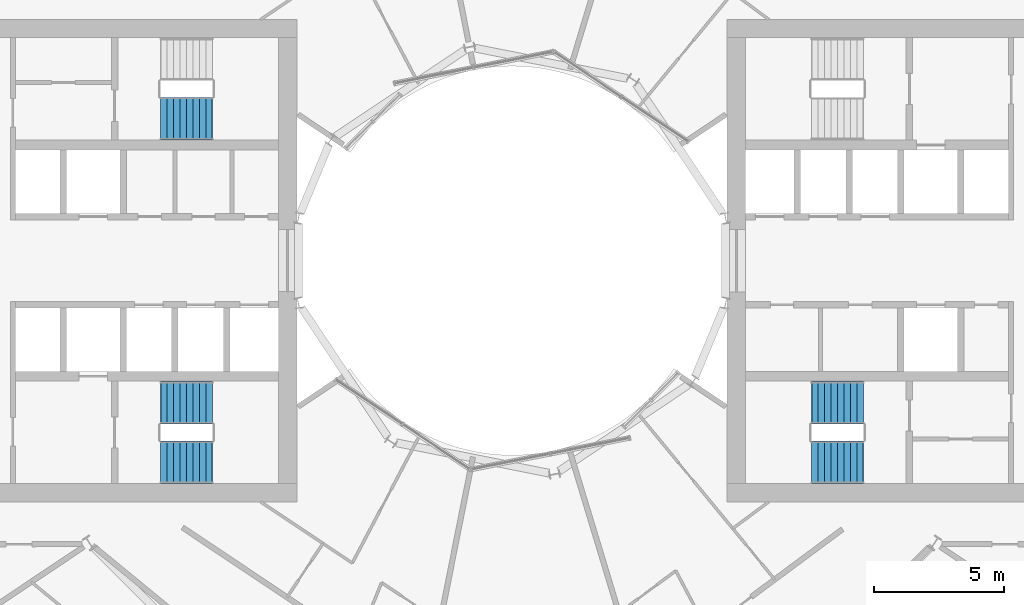
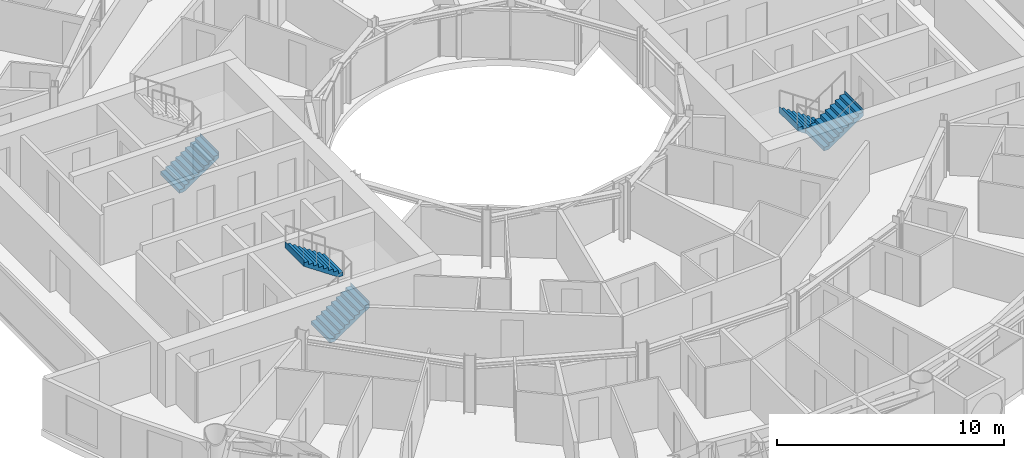
# One storey, part 23 of 26: 5 stair flights, 3 elements without a shape of their own.
"""IFC4 building model written with IfcOpenShell, lengths in metres."""

from ifc_helpers import new_model, si_unit, direction, frame, origin, place, context, subcontext, project, spatial, triangles, material, type_object, element, aggregate, save


model = new_model("IFC4")

# Units and contexts
model_context = context("Model", 3, precision=1e-05, world=origin(), true_north=direction((0.0, 1.0)))
body_context = subcontext(model_context, "Body", "Model", "MODEL_VIEW")
ifc_project = project(units=[si_unit("LENGTHUNIT", "METRE"), si_unit("AREAUNIT", "SQUARE_METRE"), si_unit("VOLUMEUNIT", "CUBIC_METRE"), si_unit("PLANEANGLEUNIT", "RADIAN"), si_unit("MASSUNIT", "GRAM", prefix="KILO")], contexts=[model_context])

# Site, building, storey
site_placement = place(None, origin())
site = spatial("IfcSite", under=ifc_project, at=site_placement, CompositionType="ELEMENT")
building_placement = place(site_placement, origin())
building = spatial("IfcBuilding", under=site, at=building_placement, Name="Maasbend Ring Residences", CompositionType="ELEMENT")
storey_placement = place(building_placement, frame((0.0, 0.0, 91.050048828125)))
storey = spatial("IfcBuildingStorey", under=building, at=storey_placement, Name="L26", CompositionType="ELEMENT", Elevation=91.050048828125)

# Stair, stair flights
ifc_material_1 = material(Name="Concrete C40/50", Category="concrete")
stair_type = type_object("IfcStairType", Name="CORE STAIR 18 RISERS", PredefinedType="HALF_TURN_STAIR", material=ifc_material_1)
stair_1_placement = place(storey_placement, origin())
stair_1 = element("IfcStair", 1, at=stair_1_placement, inside=storey, type_object=stair_type, Name="L26 Exit stair ST-E2", PredefinedType="HALF_TURN_STAIR")
ifc_material_2 = material(Name="Concrete C40/50", Category="concrete")
stair_flight_type = type_object("IfcStairFlightType", Name="CORE STAIR FLIGHT 1650", PredefinedType="STRAIGHT", material=ifc_material_2)
stair_flight_1_placement = place(storey_placement, frame((13.550048828125, -5.47509765625, 0.0), z_axis=(0.0, 0.0, 1.0), x_axis=(-1.0, 0.0, 0.0)))
stair_flight_1 = element("IfcStairFlight", 2, at=stair_flight_1_placement, type_object=stair_flight_type, Name="ST-E2 flight 1", NumberOfRisers=9, NumberOfTreads=8, PredefinedType="STRAIGHT", RiserHeight=0.169444444, TreadLength=0.25, context=body_context, shape_type="Tessellation", body=[
    triangles([(0.24072265625, 0.824951171875, -0.02001953125), (2.0029296875, 0.824951171875, 1.174560546875), (2.0029296875, 0.824951171875, 1.52490234375), (1.989990234375, 0.824951171875, 1.35546875), (1.75, 0.824951171875, 1.35546875), (1.75, 0.824951171875, 1.18603515625), (1.5, 0.824951171875, 1.18603515625), (1.5, 0.824951171875, 1.0166015625), (1.25, 0.824951171875, 1.0166015625), (1.25, 0.824951171875, 0.84716796875), (1.0, 0.824951171875, 0.84716796875), (1.0, 0.824951171875, 0.677734375), (0.75, 0.824951171875, 0.677734375), (0.75, 0.824951171875, 0.50830078125), (0.5, 0.824951171875, 0.50830078125), (0.5, 0.824951171875, 0.3388671875), (0.25, 0.824951171875, 0.3388671875), (0.25, 0.824951171875, 0.16943359375), (0.0, 0.824951171875, 0.16943359375), (0.0, 0.824951171875, 0.0), (-0.0029296875, 0.824951171875, 0.0), (-0.0029296875, 0.824951171875, -0.02001953125), (0.24072265625, 0.27490234375, -0.02001953125), (2.0029296875, 0.27490234375, 1.174560546875), (2.0029296875, 0.27490234375, 1.52490234375), (1.989990234375, 0.27490234375, 1.35546875), (1.75, 0.27490234375, 1.35546875), (1.75, 0.27490234375, 1.18603515625), (1.5, 0.27490234375, 1.18603515625), (1.5, 0.27490234375, 1.0166015625), (1.25, 0.27490234375, 1.0166015625), (1.25, 0.27490234375, 0.84716796875), (1.0, 0.27490234375, 0.84716796875), (1.0, 0.27490234375, 0.677734375), (0.75, 0.27490234375, 0.677734375), (0.75, 0.27490234375, 0.50830078125), (0.5, 0.27490234375, 0.50830078125), (0.5, 0.27490234375, 0.3388671875), (0.25, 0.27490234375, 0.3388671875), (0.25, 0.27490234375, 0.16943359375), (0.0, 0.27490234375, 0.16943359375), (0.0, 0.27490234375, 0.0), (-0.0029296875, 0.27490234375, 0.0), (-0.0029296875, 0.27490234375, -0.02001953125), (0.24072265625, -0.27490234375, -0.02001953125), (2.0029296875, -0.27490234375, 1.174560546875), (2.0029296875, -0.27490234375, 1.52490234375), (1.989990234375, -0.27490234375, 1.35546875), (1.75, -0.27490234375, 1.35546875), (1.75, -0.27490234375, 1.18603515625), (1.5, -0.27490234375, 1.18603515625), (1.5, -0.27490234375, 1.0166015625), (1.25, -0.27490234375, 1.0166015625), (1.25, -0.27490234375, 0.84716796875), (1.0, -0.27490234375, 0.84716796875), (1.0, -0.27490234375, 0.677734375), (0.75, -0.27490234375, 0.677734375), (0.75, -0.27490234375, 0.50830078125), (0.5, -0.27490234375, 0.50830078125), (0.5, -0.27490234375, 0.3388671875), (0.25, -0.27490234375, 0.3388671875), (0.25, -0.27490234375, 0.16943359375), (0.0, -0.27490234375, 0.16943359375), (0.0, -0.27490234375, 0.0), (-0.0029296875, -0.27490234375, 0.0), (-0.0029296875, -0.27490234375, -0.02001953125), (0.24072265625, -0.824951171875, -0.02001953125), (2.0029296875, -0.824951171875, 1.174560546875), (2.0029296875, -0.824951171875, 1.52490234375), (1.989990234375, -0.824951171875, 1.35546875), (1.75, -0.824951171875, 1.35546875), (1.75, -0.824951171875, 1.18603515625), (1.5, -0.824951171875, 1.18603515625), (1.5, -0.824951171875, 1.0166015625), (1.25, -0.824951171875, 1.0166015625), (1.25, -0.824951171875, 0.84716796875), (1.0, -0.824951171875, 0.84716796875), (1.0, -0.824951171875, 0.677734375), (0.75, -0.824951171875, 0.677734375), (0.75, -0.824951171875, 0.50830078125), (0.5, -0.824951171875, 0.50830078125), (0.5, -0.824951171875, 0.3388671875), (0.25, -0.824951171875, 0.3388671875), (0.25, -0.824951171875, 0.16943359375), (0.0, -0.824951171875, 0.16943359375), (0.0, -0.824951171875, 0.0), (-0.0029296875, -0.824951171875, 0.0), (-0.0029296875, -0.824951171875, -0.02001953125)], [[1, 2, 24], [1, 24, 23], [23, 24, 46], [23, 46, 45], [45, 46, 68], [45, 68, 67], [2, 3, 25], [2, 25, 24], [24, 25, 47], [24, 47, 46], [46, 47, 69], [46, 69, 68], [3, 4, 26], [3, 26, 25], [25, 26, 48], [25, 48, 47], [47, 48, 70], [47, 70, 69], [4, 5, 27], [4, 27, 26], [26, 27, 49], [26, 49, 48], [48, 49, 71], [48, 71, 70], [5, 6, 28], [5, 28, 27], [27, 28, 50], [27, 50, 49], [49, 50, 72], [49, 72, 71], [6, 7, 29], [6, 29, 28], [28, 29, 51], [28, 51, 50], [50, 51, 73], [50, 73, 72], [7, 8, 30], [7, 30, 29], [29, 30, 52], [29, 52, 51], [51, 52, 74], [51, 74, 73], [8, 9, 31], [8, 31, 30], [30, 31, 53], [30, 53, 52], [52, 53, 75], [52, 75, 74], [9, 10, 32], [9, 32, 31], [31, 32, 54], [31, 54, 53], [53, 54, 76], [53, 76, 75], [10, 11, 33], [10, 33, 32], [32, 33, 55], [32, 55, 54], [54, 55, 77], [54, 77, 76], [11, 12, 34], [11, 34, 33], [33, 34, 56], [33, 56, 55], [55, 56, 78], [55, 78, 77], [12, 13, 35], [12, 35, 34], [34, 35, 57], [34, 57, 56], [56, 57, 79], [56, 79, 78], [13, 14, 36], [13, 36, 35], [35, 36, 58], [35, 58, 57], [57, 58, 80], [57, 80, 79], [14, 15, 37], [14, 37, 36], [36, 37, 59], [36, 59, 58], [58, 59, 81], [58, 81, 80], [15, 16, 38], [15, 38, 37], [37, 38, 60], [37, 60, 59], [59, 60, 82], [59, 82, 81], [16, 17, 39], [16, 39, 38], [38, 39, 61], [38, 61, 60], [60, 61, 83], [60, 83, 82], [17, 18, 40], [17, 40, 39], [39, 40, 62], [39, 62, 61], [61, 62, 84], [61, 84, 83], [18, 19, 41], [18, 41, 40], [40, 41, 63], [40, 63, 62], [62, 63, 85], [62, 85, 84], [19, 20, 42], [19, 42, 41], [41, 42, 64], [41, 64, 63], [63, 64, 86], [63, 86, 85], [20, 21, 43], [20, 43, 42], [42, 43, 65], [42, 65, 64], [64, 65, 87], [64, 87, 86], [21, 22, 44], [21, 44, 43], [43, 44, 66], [43, 66, 65], [65, 66, 88], [65, 88, 87], [22, 1, 23], [22, 23, 44], [44, 23, 45], [44, 45, 66], [66, 45, 67], [66, 67, 88], [22, 2, 1], [2, 4, 3], [2, 5, 4], [2, 6, 5], [22, 6, 2], [6, 8, 7], [22, 8, 6], [8, 10, 9], [22, 10, 8], [10, 12, 11], [22, 12, 10], [12, 14, 13], [22, 14, 12], [14, 16, 15], [22, 16, 14], [16, 18, 17], [22, 18, 16], [18, 20, 19], [22, 20, 18], [20, 22, 21], [88, 67, 68], [68, 69, 70], [68, 70, 71], [68, 71, 72], [88, 68, 72], [72, 73, 74], [88, 72, 74], [74, 75, 76], [88, 74, 76], [76, 77, 78], [88, 76, 78], [78, 79, 80], [88, 78, 80], [80, 81, 82], [88, 80, 82], [82, 83, 84], [88, 82, 84], [84, 85, 86], [88, 84, 86], [86, 87, 88]], closed=True),
])
stair_flight_2_placement = place(storey_placement, frame((11.550048828125, -7.77490234375, 1.52490234375), z_axis=(0.0, 0.0, 1.0), x_axis=(1.0, 0.0, 0.0)))
stair_flight_2 = element("IfcStairFlight", 3, at=stair_flight_2_placement, type_object=stair_flight_type, Name="ST-E2 flight 2", NumberOfRisers=9, NumberOfTreads=8, PredefinedType="STRAIGHT", RiserHeight=0.169444444, TreadLength=0.25, context=body_context, shape_type="Tessellation", body=[
    triangles([(0.24072265625, 0.824951171875, -0.02001953125), (2.0029296875, 0.824951171875, 1.174560546875), (2.0029296875, 0.824951171875, 1.52490234375), (1.989990234375, 0.824951171875, 1.35546875), (1.75, 0.824951171875, 1.35546875), (1.75, 0.824951171875, 1.18603515625), (1.5, 0.824951171875, 1.18603515625), (1.5, 0.824951171875, 1.0166015625), (1.25, 0.824951171875, 1.0166015625), (1.25, 0.824951171875, 0.84716796875), (1.0, 0.824951171875, 0.84716796875), (1.0, 0.824951171875, 0.677734375), (0.75, 0.824951171875, 0.677734375), (0.75, 0.824951171875, 0.50830078125), (0.5, 0.824951171875, 0.50830078125), (0.5, 0.824951171875, 0.3388671875), (0.25, 0.824951171875, 0.3388671875), (0.25, 0.824951171875, 0.16943359375), (0.0, 0.824951171875, 0.16943359375), (0.0, 0.824951171875, 0.0), (-0.0029296875, 0.824951171875, 0.0), (-0.0029296875, 0.824951171875, -0.02001953125), (0.24072265625, 0.27490234375, -0.02001953125), (2.0029296875, 0.27490234375, 1.174560546875), (2.0029296875, 0.27490234375, 1.52490234375), (1.989990234375, 0.27490234375, 1.35546875), (1.75, 0.27490234375, 1.35546875), (1.75, 0.27490234375, 1.18603515625), (1.5, 0.27490234375, 1.18603515625), (1.5, 0.27490234375, 1.0166015625), (1.25, 0.27490234375, 1.0166015625), (1.25, 0.27490234375, 0.84716796875), (1.0, 0.27490234375, 0.84716796875), (1.0, 0.27490234375, 0.677734375), (0.75, 0.27490234375, 0.677734375), (0.75, 0.27490234375, 0.50830078125), (0.5, 0.27490234375, 0.50830078125), (0.5, 0.27490234375, 0.3388671875), (0.25, 0.27490234375, 0.3388671875), (0.25, 0.27490234375, 0.16943359375), (0.0, 0.27490234375, 0.16943359375), (0.0, 0.27490234375, 0.0), (-0.0029296875, 0.27490234375, 0.0), (-0.0029296875, 0.27490234375, -0.02001953125), (0.24072265625, -0.27490234375, -0.02001953125), (2.0029296875, -0.27490234375, 1.174560546875), (2.0029296875, -0.27490234375, 1.52490234375), (1.989990234375, -0.27490234375, 1.35546875), (1.75, -0.27490234375, 1.35546875), (1.75, -0.27490234375, 1.18603515625), (1.5, -0.27490234375, 1.18603515625), (1.5, -0.27490234375, 1.0166015625), (1.25, -0.27490234375, 1.0166015625), (1.25, -0.27490234375, 0.84716796875), (1.0, -0.27490234375, 0.84716796875), (1.0, -0.27490234375, 0.677734375), (0.75, -0.27490234375, 0.677734375), (0.75, -0.27490234375, 0.50830078125), (0.5, -0.27490234375, 0.50830078125), (0.5, -0.27490234375, 0.3388671875), (0.25, -0.27490234375, 0.3388671875), (0.25, -0.27490234375, 0.16943359375), (0.0, -0.27490234375, 0.16943359375), (0.0, -0.27490234375, 0.0), (-0.0029296875, -0.27490234375, 0.0), (-0.0029296875, -0.27490234375, -0.02001953125), (0.24072265625, -0.824951171875, -0.02001953125), (2.0029296875, -0.824951171875, 1.174560546875), (2.0029296875, -0.824951171875, 1.52490234375), (1.989990234375, -0.824951171875, 1.35546875), (1.75, -0.824951171875, 1.35546875), (1.75, -0.824951171875, 1.18603515625), (1.5, -0.824951171875, 1.18603515625), (1.5, -0.824951171875, 1.0166015625), (1.25, -0.824951171875, 1.0166015625), (1.25, -0.824951171875, 0.84716796875), (1.0, -0.824951171875, 0.84716796875), (1.0, -0.824951171875, 0.677734375), (0.75, -0.824951171875, 0.677734375), (0.75, -0.824951171875, 0.50830078125), (0.5, -0.824951171875, 0.50830078125), (0.5, -0.824951171875, 0.3388671875), (0.25, -0.824951171875, 0.3388671875), (0.25, -0.824951171875, 0.16943359375), (0.0, -0.824951171875, 0.16943359375), (0.0, -0.824951171875, 0.0), (-0.0029296875, -0.824951171875, 0.0), (-0.0029296875, -0.824951171875, -0.02001953125)], [[1, 2, 24], [1, 24, 23], [23, 24, 46], [23, 46, 45], [45, 46, 68], [45, 68, 67], [2, 3, 25], [2, 25, 24], [24, 25, 47], [24, 47, 46], [46, 47, 69], [46, 69, 68], [3, 4, 26], [3, 26, 25], [25, 26, 48], [25, 48, 47], [47, 48, 70], [47, 70, 69], [4, 5, 27], [4, 27, 26], [26, 27, 49], [26, 49, 48], [48, 49, 71], [48, 71, 70], [5, 6, 28], [5, 28, 27], [27, 28, 50], [27, 50, 49], [49, 50, 72], [49, 72, 71], [6, 7, 29], [6, 29, 28], [28, 29, 51], [28, 51, 50], [50, 51, 73], [50, 73, 72], [7, 8, 30], [7, 30, 29], [29, 30, 52], [29, 52, 51], [51, 52, 74], [51, 74, 73], [8, 9, 31], [8, 31, 30], [30, 31, 53], [30, 53, 52], [52, 53, 75], [52, 75, 74], [9, 10, 32], [9, 32, 31], [31, 32, 54], [31, 54, 53], [53, 54, 76], [53, 76, 75], [10, 11, 33], [10, 33, 32], [32, 33, 55], [32, 55, 54], [54, 55, 77], [54, 77, 76], [11, 12, 34], [11, 34, 33], [33, 34, 56], [33, 56, 55], [55, 56, 78], [55, 78, 77], [12, 13, 35], [12, 35, 34], [34, 35, 57], [34, 57, 56], [56, 57, 79], [56, 79, 78], [13, 14, 36], [13, 36, 35], [35, 36, 58], [35, 58, 57], [57, 58, 80], [57, 80, 79], [14, 15, 37], [14, 37, 36], [36, 37, 59], [36, 59, 58], [58, 59, 81], [58, 81, 80], [15, 16, 38], [15, 38, 37], [37, 38, 60], [37, 60, 59], [59, 60, 82], [59, 82, 81], [16, 17, 39], [16, 39, 38], [38, 39, 61], [38, 61, 60], [60, 61, 83], [60, 83, 82], [17, 18, 40], [17, 40, 39], [39, 40, 62], [39, 62, 61], [61, 62, 84], [61, 84, 83], [18, 19, 41], [18, 41, 40], [40, 41, 63], [40, 63, 62], [62, 63, 85], [62, 85, 84], [19, 20, 42], [19, 42, 41], [41, 42, 64], [41, 64, 63], [63, 64, 86], [63, 86, 85], [20, 21, 43], [20, 43, 42], [42, 43, 65], [42, 65, 64], [64, 65, 87], [64, 87, 86], [21, 22, 44], [21, 44, 43], [43, 44, 66], [43, 66, 65], [65, 66, 88], [65, 88, 87], [22, 1, 23], [22, 23, 44], [44, 23, 45], [44, 45, 66], [66, 45, 67], [66, 67, 88], [22, 2, 1], [2, 4, 3], [2, 5, 4], [2, 6, 5], [22, 6, 2], [6, 8, 7], [22, 8, 6], [8, 10, 9], [22, 10, 8], [10, 12, 11], [22, 12, 10], [12, 14, 13], [22, 14, 12], [14, 16, 15], [22, 16, 14], [16, 18, 17], [22, 18, 16], [18, 20, 19], [22, 20, 18], [20, 22, 21], [88, 67, 68], [68, 69, 70], [68, 70, 71], [68, 71, 72], [88, 68, 72], [72, 73, 74], [88, 72, 74], [74, 75, 76], [88, 74, 76], [76, 77, 78], [88, 76, 78], [78, 79, 80], [88, 78, 80], [80, 81, 82], [88, 80, 82], [82, 83, 84], [88, 82, 84], [84, 85, 86], [88, 84, 86], [86, 87, 88]], closed=True),
])
aggregate(stair_1, [stair_flight_1, stair_flight_2])

stair_2_placement = place(storey_placement, origin())
stair_2 = element("IfcStair", 4, at=stair_2_placement, inside=storey, type_object=stair_type, Name="L26 Exit stair ST-W1", PredefinedType="HALF_TURN_STAIR")
stair_flight_3_placement = place(storey_placement, frame((-13.550048828125, -7.77490234375, 0.0), z_axis=(0.0, 0.0, 1.0), x_axis=(1.0, 0.0, 0.0)))
stair_flight_3 = element("IfcStairFlight", 5, at=stair_flight_3_placement, type_object=stair_flight_type, Name="ST-W1 flight 1", NumberOfRisers=9, NumberOfTreads=8, PredefinedType="STRAIGHT", RiserHeight=0.169444444, TreadLength=0.25, context=body_context, shape_type="Tessellation", body=[
    triangles([(0.24072265625, 0.824951171875, -0.02001953125), (2.0029296875, 0.824951171875, 1.174560546875), (2.0029296875, 0.824951171875, 1.52490234375), (1.989990234375, 0.824951171875, 1.35546875), (1.75, 0.824951171875, 1.35546875), (1.75, 0.824951171875, 1.18603515625), (1.5, 0.824951171875, 1.18603515625), (1.5, 0.824951171875, 1.0166015625), (1.25, 0.824951171875, 1.0166015625), (1.25, 0.824951171875, 0.84716796875), (1.0, 0.824951171875, 0.84716796875), (1.0, 0.824951171875, 0.677734375), (0.75, 0.824951171875, 0.677734375), (0.75, 0.824951171875, 0.50830078125), (0.5, 0.824951171875, 0.50830078125), (0.5, 0.824951171875, 0.3388671875), (0.25, 0.824951171875, 0.3388671875), (0.25, 0.824951171875, 0.16943359375), (0.0, 0.824951171875, 0.16943359375), (0.0, 0.824951171875, 0.0), (-0.0029296875, 0.824951171875, 0.0), (-0.0029296875, 0.824951171875, -0.02001953125), (0.24072265625, 0.27490234375, -0.02001953125), (2.0029296875, 0.27490234375, 1.174560546875), (2.0029296875, 0.27490234375, 1.52490234375), (1.989990234375, 0.27490234375, 1.35546875), (1.75, 0.27490234375, 1.35546875), (1.75, 0.27490234375, 1.18603515625), (1.5, 0.27490234375, 1.18603515625), (1.5, 0.27490234375, 1.0166015625), (1.25, 0.27490234375, 1.0166015625), (1.25, 0.27490234375, 0.84716796875), (1.0, 0.27490234375, 0.84716796875), (1.0, 0.27490234375, 0.677734375), (0.75, 0.27490234375, 0.677734375), (0.75, 0.27490234375, 0.50830078125), (0.5, 0.27490234375, 0.50830078125), (0.5, 0.27490234375, 0.3388671875), (0.25, 0.27490234375, 0.3388671875), (0.25, 0.27490234375, 0.16943359375), (0.0, 0.27490234375, 0.16943359375), (0.0, 0.27490234375, 0.0), (-0.0029296875, 0.27490234375, 0.0), (-0.0029296875, 0.27490234375, -0.02001953125), (0.24072265625, -0.27490234375, -0.02001953125), (2.0029296875, -0.27490234375, 1.174560546875), (2.0029296875, -0.27490234375, 1.52490234375), (1.989990234375, -0.27490234375, 1.35546875), (1.75, -0.27490234375, 1.35546875), (1.75, -0.27490234375, 1.18603515625), (1.5, -0.27490234375, 1.18603515625), (1.5, -0.27490234375, 1.0166015625), (1.25, -0.27490234375, 1.0166015625), (1.25, -0.27490234375, 0.84716796875), (1.0, -0.27490234375, 0.84716796875), (1.0, -0.27490234375, 0.677734375), (0.75, -0.27490234375, 0.677734375), (0.75, -0.27490234375, 0.50830078125), (0.5, -0.27490234375, 0.50830078125), (0.5, -0.27490234375, 0.3388671875), (0.25, -0.27490234375, 0.3388671875), (0.25, -0.27490234375, 0.16943359375), (0.0, -0.27490234375, 0.16943359375), (0.0, -0.27490234375, 0.0), (-0.0029296875, -0.27490234375, 0.0), (-0.0029296875, -0.27490234375, -0.02001953125), (0.24072265625, -0.824951171875, -0.02001953125), (2.0029296875, -0.824951171875, 1.174560546875), (2.0029296875, -0.824951171875, 1.52490234375), (1.989990234375, -0.824951171875, 1.35546875), (1.75, -0.824951171875, 1.35546875), (1.75, -0.824951171875, 1.18603515625), (1.5, -0.824951171875, 1.18603515625), (1.5, -0.824951171875, 1.0166015625), (1.25, -0.824951171875, 1.0166015625), (1.25, -0.824951171875, 0.84716796875), (1.0, -0.824951171875, 0.84716796875), (1.0, -0.824951171875, 0.677734375), (0.75, -0.824951171875, 0.677734375), (0.75, -0.824951171875, 0.50830078125), (0.5, -0.824951171875, 0.50830078125), (0.5, -0.824951171875, 0.3388671875), (0.25, -0.824951171875, 0.3388671875), (0.25, -0.824951171875, 0.16943359375), (0.0, -0.824951171875, 0.16943359375), (0.0, -0.824951171875, 0.0), (-0.0029296875, -0.824951171875, 0.0), (-0.0029296875, -0.824951171875, -0.02001953125)], [[1, 2, 24], [1, 24, 23], [23, 24, 46], [23, 46, 45], [45, 46, 68], [45, 68, 67], [2, 3, 25], [2, 25, 24], [24, 25, 47], [24, 47, 46], [46, 47, 69], [46, 69, 68], [3, 4, 26], [3, 26, 25], [25, 26, 48], [25, 48, 47], [47, 48, 70], [47, 70, 69], [4, 5, 27], [4, 27, 26], [26, 27, 49], [26, 49, 48], [48, 49, 71], [48, 71, 70], [5, 6, 28], [5, 28, 27], [27, 28, 50], [27, 50, 49], [49, 50, 72], [49, 72, 71], [6, 7, 29], [6, 29, 28], [28, 29, 51], [28, 51, 50], [50, 51, 73], [50, 73, 72], [7, 8, 30], [7, 30, 29], [29, 30, 52], [29, 52, 51], [51, 52, 74], [51, 74, 73], [8, 9, 31], [8, 31, 30], [30, 31, 53], [30, 53, 52], [52, 53, 75], [52, 75, 74], [9, 10, 32], [9, 32, 31], [31, 32, 54], [31, 54, 53], [53, 54, 76], [53, 76, 75], [10, 11, 33], [10, 33, 32], [32, 33, 55], [32, 55, 54], [54, 55, 77], [54, 77, 76], [11, 12, 34], [11, 34, 33], [33, 34, 56], [33, 56, 55], [55, 56, 78], [55, 78, 77], [12, 13, 35], [12, 35, 34], [34, 35, 57], [34, 57, 56], [56, 57, 79], [56, 79, 78], [13, 14, 36], [13, 36, 35], [35, 36, 58], [35, 58, 57], [57, 58, 80], [57, 80, 79], [14, 15, 37], [14, 37, 36], [36, 37, 59], [36, 59, 58], [58, 59, 81], [58, 81, 80], [15, 16, 38], [15, 38, 37], [37, 38, 60], [37, 60, 59], [59, 60, 82], [59, 82, 81], [16, 17, 39], [16, 39, 38], [38, 39, 61], [38, 61, 60], [60, 61, 83], [60, 83, 82], [17, 18, 40], [17, 40, 39], [39, 40, 62], [39, 62, 61], [61, 62, 84], [61, 84, 83], [18, 19, 41], [18, 41, 40], [40, 41, 63], [40, 63, 62], [62, 63, 85], [62, 85, 84], [19, 20, 42], [19, 42, 41], [41, 42, 64], [41, 64, 63], [63, 64, 86], [63, 86, 85], [20, 21, 43], [20, 43, 42], [42, 43, 65], [42, 65, 64], [64, 65, 87], [64, 87, 86], [21, 22, 44], [21, 44, 43], [43, 44, 66], [43, 66, 65], [65, 66, 88], [65, 88, 87], [22, 1, 23], [22, 23, 44], [44, 23, 45], [44, 45, 66], [66, 45, 67], [66, 67, 88], [22, 2, 1], [2, 4, 3], [2, 5, 4], [2, 6, 5], [22, 6, 2], [6, 8, 7], [22, 8, 6], [8, 10, 9], [22, 10, 8], [10, 12, 11], [22, 12, 10], [12, 14, 13], [22, 14, 12], [14, 16, 15], [22, 16, 14], [16, 18, 17], [22, 18, 16], [18, 20, 19], [22, 20, 18], [20, 22, 21], [88, 67, 68], [68, 69, 70], [68, 70, 71], [68, 71, 72], [88, 68, 72], [72, 73, 74], [88, 72, 74], [74, 75, 76], [88, 74, 76], [76, 77, 78], [88, 76, 78], [78, 79, 80], [88, 78, 80], [80, 81, 82], [88, 80, 82], [82, 83, 84], [88, 82, 84], [84, 85, 86], [88, 84, 86], [86, 87, 88]], closed=True),
])
stair_flight_4_placement = place(storey_placement, frame((-11.550048828125, -5.47509765625, 1.52490234375), z_axis=(0.0, 0.0, 1.0), x_axis=(-1.0, 0.0, 0.0)))
stair_flight_4 = element("IfcStairFlight", 6, at=stair_flight_4_placement, type_object=stair_flight_type, Name="ST-W1 flight 2", NumberOfRisers=9, NumberOfTreads=8, PredefinedType="STRAIGHT", RiserHeight=0.169444444, TreadLength=0.25, context=body_context, shape_type="Tessellation", body=[
    triangles([(0.24072265625, 0.824951171875, -0.02001953125), (2.0029296875, 0.824951171875, 1.174560546875), (2.0029296875, 0.824951171875, 1.52490234375), (1.989990234375, 0.824951171875, 1.35546875), (1.75, 0.824951171875, 1.35546875), (1.75, 0.824951171875, 1.18603515625), (1.5, 0.824951171875, 1.18603515625), (1.5, 0.824951171875, 1.0166015625), (1.25, 0.824951171875, 1.0166015625), (1.25, 0.824951171875, 0.84716796875), (1.0, 0.824951171875, 0.84716796875), (1.0, 0.824951171875, 0.677734375), (0.75, 0.824951171875, 0.677734375), (0.75, 0.824951171875, 0.50830078125), (0.5, 0.824951171875, 0.50830078125), (0.5, 0.824951171875, 0.3388671875), (0.25, 0.824951171875, 0.3388671875), (0.25, 0.824951171875, 0.16943359375), (0.0, 0.824951171875, 0.16943359375), (0.0, 0.824951171875, 0.0), (-0.0029296875, 0.824951171875, 0.0), (-0.0029296875, 0.824951171875, -0.02001953125), (0.24072265625, 0.27490234375, -0.02001953125), (2.0029296875, 0.27490234375, 1.174560546875), (2.0029296875, 0.27490234375, 1.52490234375), (1.989990234375, 0.27490234375, 1.35546875), (1.75, 0.27490234375, 1.35546875), (1.75, 0.27490234375, 1.18603515625), (1.5, 0.27490234375, 1.18603515625), (1.5, 0.27490234375, 1.0166015625), (1.25, 0.27490234375, 1.0166015625), (1.25, 0.27490234375, 0.84716796875), (1.0, 0.27490234375, 0.84716796875), (1.0, 0.27490234375, 0.677734375), (0.75, 0.27490234375, 0.677734375), (0.75, 0.27490234375, 0.50830078125), (0.5, 0.27490234375, 0.50830078125), (0.5, 0.27490234375, 0.3388671875), (0.25, 0.27490234375, 0.3388671875), (0.25, 0.27490234375, 0.16943359375), (0.0, 0.27490234375, 0.16943359375), (0.0, 0.27490234375, 0.0), (-0.0029296875, 0.27490234375, 0.0), (-0.0029296875, 0.27490234375, -0.02001953125), (0.24072265625, -0.27490234375, -0.02001953125), (2.0029296875, -0.27490234375, 1.174560546875), (2.0029296875, -0.27490234375, 1.52490234375), (1.989990234375, -0.27490234375, 1.35546875), (1.75, -0.27490234375, 1.35546875), (1.75, -0.27490234375, 1.18603515625), (1.5, -0.27490234375, 1.18603515625), (1.5, -0.27490234375, 1.0166015625), (1.25, -0.27490234375, 1.0166015625), (1.25, -0.27490234375, 0.84716796875), (1.0, -0.27490234375, 0.84716796875), (1.0, -0.27490234375, 0.677734375), (0.75, -0.27490234375, 0.677734375), (0.75, -0.27490234375, 0.50830078125), (0.5, -0.27490234375, 0.50830078125), (0.5, -0.27490234375, 0.3388671875), (0.25, -0.27490234375, 0.3388671875), (0.25, -0.27490234375, 0.16943359375), (0.0, -0.27490234375, 0.16943359375), (0.0, -0.27490234375, 0.0), (-0.0029296875, -0.27490234375, 0.0), (-0.0029296875, -0.27490234375, -0.02001953125), (0.24072265625, -0.824951171875, -0.02001953125), (2.0029296875, -0.824951171875, 1.174560546875), (2.0029296875, -0.824951171875, 1.52490234375), (1.989990234375, -0.824951171875, 1.35546875), (1.75, -0.824951171875, 1.35546875), (1.75, -0.824951171875, 1.18603515625), (1.5, -0.824951171875, 1.18603515625), (1.5, -0.824951171875, 1.0166015625), (1.25, -0.824951171875, 1.0166015625), (1.25, -0.824951171875, 0.84716796875), (1.0, -0.824951171875, 0.84716796875), (1.0, -0.824951171875, 0.677734375), (0.75, -0.824951171875, 0.677734375), (0.75, -0.824951171875, 0.50830078125), (0.5, -0.824951171875, 0.50830078125), (0.5, -0.824951171875, 0.3388671875), (0.25, -0.824951171875, 0.3388671875), (0.25, -0.824951171875, 0.16943359375), (0.0, -0.824951171875, 0.16943359375), (0.0, -0.824951171875, 0.0), (-0.0029296875, -0.824951171875, 0.0), (-0.0029296875, -0.824951171875, -0.02001953125)], [[1, 2, 24], [1, 24, 23], [23, 24, 46], [23, 46, 45], [45, 46, 68], [45, 68, 67], [2, 3, 25], [2, 25, 24], [24, 25, 47], [24, 47, 46], [46, 47, 69], [46, 69, 68], [3, 4, 26], [3, 26, 25], [25, 26, 48], [25, 48, 47], [47, 48, 70], [47, 70, 69], [4, 5, 27], [4, 27, 26], [26, 27, 49], [26, 49, 48], [48, 49, 71], [48, 71, 70], [5, 6, 28], [5, 28, 27], [27, 28, 50], [27, 50, 49], [49, 50, 72], [49, 72, 71], [6, 7, 29], [6, 29, 28], [28, 29, 51], [28, 51, 50], [50, 51, 73], [50, 73, 72], [7, 8, 30], [7, 30, 29], [29, 30, 52], [29, 52, 51], [51, 52, 74], [51, 74, 73], [8, 9, 31], [8, 31, 30], [30, 31, 53], [30, 53, 52], [52, 53, 75], [52, 75, 74], [9, 10, 32], [9, 32, 31], [31, 32, 54], [31, 54, 53], [53, 54, 76], [53, 76, 75], [10, 11, 33], [10, 33, 32], [32, 33, 55], [32, 55, 54], [54, 55, 77], [54, 77, 76], [11, 12, 34], [11, 34, 33], [33, 34, 56], [33, 56, 55], [55, 56, 78], [55, 78, 77], [12, 13, 35], [12, 35, 34], [34, 35, 57], [34, 57, 56], [56, 57, 79], [56, 79, 78], [13, 14, 36], [13, 36, 35], [35, 36, 58], [35, 58, 57], [57, 58, 80], [57, 80, 79], [14, 15, 37], [14, 37, 36], [36, 37, 59], [36, 59, 58], [58, 59, 81], [58, 81, 80], [15, 16, 38], [15, 38, 37], [37, 38, 60], [37, 60, 59], [59, 60, 82], [59, 82, 81], [16, 17, 39], [16, 39, 38], [38, 39, 61], [38, 61, 60], [60, 61, 83], [60, 83, 82], [17, 18, 40], [17, 40, 39], [39, 40, 62], [39, 62, 61], [61, 62, 84], [61, 84, 83], [18, 19, 41], [18, 41, 40], [40, 41, 63], [40, 63, 62], [62, 63, 85], [62, 85, 84], [19, 20, 42], [19, 42, 41], [41, 42, 64], [41, 64, 63], [63, 64, 86], [63, 86, 85], [20, 21, 43], [20, 43, 42], [42, 43, 65], [42, 65, 64], [64, 65, 87], [64, 87, 86], [21, 22, 44], [21, 44, 43], [43, 44, 66], [43, 66, 65], [65, 66, 88], [65, 88, 87], [22, 1, 23], [22, 23, 44], [44, 23, 45], [44, 45, 66], [66, 45, 67], [66, 67, 88], [22, 2, 1], [2, 4, 3], [2, 5, 4], [2, 6, 5], [22, 6, 2], [6, 8, 7], [22, 8, 6], [8, 10, 9], [22, 10, 8], [10, 12, 11], [22, 12, 10], [12, 14, 13], [22, 14, 12], [14, 16, 15], [22, 16, 14], [16, 18, 17], [22, 18, 16], [18, 20, 19], [22, 20, 18], [20, 22, 21], [88, 67, 68], [68, 69, 70], [68, 70, 71], [68, 71, 72], [88, 68, 72], [72, 73, 74], [88, 72, 74], [74, 75, 76], [88, 74, 76], [76, 77, 78], [88, 76, 78], [78, 79, 80], [88, 78, 80], [80, 81, 82], [88, 80, 82], [82, 83, 84], [88, 82, 84], [84, 85, 86], [88, 84, 86], [86, 87, 88]], closed=True),
])
aggregate(stair_2, [stair_flight_3, stair_flight_4])

# Stair, stair flight
stair_3_placement = place(storey_placement, origin())
stair_3 = element("IfcStair", 7, at=stair_3_placement, inside=storey, type_object=stair_type, Name="L26 Exit stair ST-W2", PredefinedType="HALF_TURN_STAIR")
stair_flight_5_placement = place(storey_placement, frame((-13.550048828125, 5.47509765625, 0.0), z_axis=(0.0, 0.0, 1.0), x_axis=(1.0, 0.0, 0.0)))
stair_flight_5 = element("IfcStairFlight", 8, at=stair_flight_5_placement, type_object=stair_flight_type, Name="ST-W2 flight 1", NumberOfRisers=9, NumberOfTreads=8, PredefinedType="STRAIGHT", RiserHeight=0.169444444, TreadLength=0.25, context=body_context, shape_type="Tessellation", body=[
    triangles([(0.24072265625, 0.824951171875, -0.02001953125), (2.0029296875, 0.824951171875, 1.174560546875), (2.0029296875, 0.824951171875, 1.52490234375), (1.989990234375, 0.824951171875, 1.35546875), (1.75, 0.824951171875, 1.35546875), (1.75, 0.824951171875, 1.18603515625), (1.5, 0.824951171875, 1.18603515625), (1.5, 0.824951171875, 1.0166015625), (1.25, 0.824951171875, 1.0166015625), (1.25, 0.824951171875, 0.84716796875), (1.0, 0.824951171875, 0.84716796875), (1.0, 0.824951171875, 0.677734375), (0.75, 0.824951171875, 0.677734375), (0.75, 0.824951171875, 0.50830078125), (0.5, 0.824951171875, 0.50830078125), (0.5, 0.824951171875, 0.3388671875), (0.25, 0.824951171875, 0.3388671875), (0.25, 0.824951171875, 0.16943359375), (0.0, 0.824951171875, 0.16943359375), (0.0, 0.824951171875, 0.0), (-0.0029296875, 0.824951171875, 0.0), (-0.0029296875, 0.824951171875, -0.02001953125), (0.24072265625, 0.27490234375, -0.02001953125), (2.0029296875, 0.27490234375, 1.174560546875), (2.0029296875, 0.27490234375, 1.52490234375), (1.989990234375, 0.27490234375, 1.35546875), (1.75, 0.27490234375, 1.35546875), (1.75, 0.27490234375, 1.18603515625), (1.5, 0.27490234375, 1.18603515625), (1.5, 0.27490234375, 1.0166015625), (1.25, 0.27490234375, 1.0166015625), (1.25, 0.27490234375, 0.84716796875), (1.0, 0.27490234375, 0.84716796875), (1.0, 0.27490234375, 0.677734375), (0.75, 0.27490234375, 0.677734375), (0.75, 0.27490234375, 0.50830078125), (0.5, 0.27490234375, 0.50830078125), (0.5, 0.27490234375, 0.3388671875), (0.25, 0.27490234375, 0.3388671875), (0.25, 0.27490234375, 0.16943359375), (0.0, 0.27490234375, 0.16943359375), (0.0, 0.27490234375, 0.0), (-0.0029296875, 0.27490234375, 0.0), (-0.0029296875, 0.27490234375, -0.02001953125), (0.24072265625, -0.27490234375, -0.02001953125), (2.0029296875, -0.27490234375, 1.174560546875), (2.0029296875, -0.27490234375, 1.52490234375), (1.989990234375, -0.27490234375, 1.35546875), (1.75, -0.27490234375, 1.35546875), (1.75, -0.27490234375, 1.18603515625), (1.5, -0.27490234375, 1.18603515625), (1.5, -0.27490234375, 1.0166015625), (1.25, -0.27490234375, 1.0166015625), (1.25, -0.27490234375, 0.84716796875), (1.0, -0.27490234375, 0.84716796875), (1.0, -0.27490234375, 0.677734375), (0.75, -0.27490234375, 0.677734375), (0.75, -0.27490234375, 0.50830078125), (0.5, -0.27490234375, 0.50830078125), (0.5, -0.27490234375, 0.3388671875), (0.25, -0.27490234375, 0.3388671875), (0.25, -0.27490234375, 0.16943359375), (0.0, -0.27490234375, 0.16943359375), (0.0, -0.27490234375, 0.0), (-0.0029296875, -0.27490234375, 0.0), (-0.0029296875, -0.27490234375, -0.02001953125), (0.24072265625, -0.824951171875, -0.02001953125), (2.0029296875, -0.824951171875, 1.174560546875), (2.0029296875, -0.824951171875, 1.52490234375), (1.989990234375, -0.824951171875, 1.35546875), (1.75, -0.824951171875, 1.35546875), (1.75, -0.824951171875, 1.18603515625), (1.5, -0.824951171875, 1.18603515625), (1.5, -0.824951171875, 1.0166015625), (1.25, -0.824951171875, 1.0166015625), (1.25, -0.824951171875, 0.84716796875), (1.0, -0.824951171875, 0.84716796875), (1.0, -0.824951171875, 0.677734375), (0.75, -0.824951171875, 0.677734375), (0.75, -0.824951171875, 0.50830078125), (0.5, -0.824951171875, 0.50830078125), (0.5, -0.824951171875, 0.3388671875), (0.25, -0.824951171875, 0.3388671875), (0.25, -0.824951171875, 0.16943359375), (0.0, -0.824951171875, 0.16943359375), (0.0, -0.824951171875, 0.0), (-0.0029296875, -0.824951171875, 0.0), (-0.0029296875, -0.824951171875, -0.02001953125)], [[1, 2, 24], [1, 24, 23], [23, 24, 46], [23, 46, 45], [45, 46, 68], [45, 68, 67], [2, 3, 25], [2, 25, 24], [24, 25, 47], [24, 47, 46], [46, 47, 69], [46, 69, 68], [3, 4, 26], [3, 26, 25], [25, 26, 48], [25, 48, 47], [47, 48, 70], [47, 70, 69], [4, 5, 27], [4, 27, 26], [26, 27, 49], [26, 49, 48], [48, 49, 71], [48, 71, 70], [5, 6, 28], [5, 28, 27], [27, 28, 50], [27, 50, 49], [49, 50, 72], [49, 72, 71], [6, 7, 29], [6, 29, 28], [28, 29, 51], [28, 51, 50], [50, 51, 73], [50, 73, 72], [7, 8, 30], [7, 30, 29], [29, 30, 52], [29, 52, 51], [51, 52, 74], [51, 74, 73], [8, 9, 31], [8, 31, 30], [30, 31, 53], [30, 53, 52], [52, 53, 75], [52, 75, 74], [9, 10, 32], [9, 32, 31], [31, 32, 54], [31, 54, 53], [53, 54, 76], [53, 76, 75], [10, 11, 33], [10, 33, 32], [32, 33, 55], [32, 55, 54], [54, 55, 77], [54, 77, 76], [11, 12, 34], [11, 34, 33], [33, 34, 56], [33, 56, 55], [55, 56, 78], [55, 78, 77], [12, 13, 35], [12, 35, 34], [34, 35, 57], [34, 57, 56], [56, 57, 79], [56, 79, 78], [13, 14, 36], [13, 36, 35], [35, 36, 58], [35, 58, 57], [57, 58, 80], [57, 80, 79], [14, 15, 37], [14, 37, 36], [36, 37, 59], [36, 59, 58], [58, 59, 81], [58, 81, 80], [15, 16, 38], [15, 38, 37], [37, 38, 60], [37, 60, 59], [59, 60, 82], [59, 82, 81], [16, 17, 39], [16, 39, 38], [38, 39, 61], [38, 61, 60], [60, 61, 83], [60, 83, 82], [17, 18, 40], [17, 40, 39], [39, 40, 62], [39, 62, 61], [61, 62, 84], [61, 84, 83], [18, 19, 41], [18, 41, 40], [40, 41, 63], [40, 63, 62], [62, 63, 85], [62, 85, 84], [19, 20, 42], [19, 42, 41], [41, 42, 64], [41, 64, 63], [63, 64, 86], [63, 86, 85], [20, 21, 43], [20, 43, 42], [42, 43, 65], [42, 65, 64], [64, 65, 87], [64, 87, 86], [21, 22, 44], [21, 44, 43], [43, 44, 66], [43, 66, 65], [65, 66, 88], [65, 88, 87], [22, 1, 23], [22, 23, 44], [44, 23, 45], [44, 45, 66], [66, 45, 67], [66, 67, 88], [22, 2, 1], [2, 4, 3], [2, 5, 4], [2, 6, 5], [22, 6, 2], [6, 8, 7], [22, 8, 6], [8, 10, 9], [22, 10, 8], [10, 12, 11], [22, 12, 10], [12, 14, 13], [22, 14, 12], [14, 16, 15], [22, 16, 14], [16, 18, 17], [22, 18, 16], [18, 20, 19], [22, 20, 18], [20, 22, 21], [88, 67, 68], [68, 69, 70], [68, 70, 71], [68, 71, 72], [88, 68, 72], [72, 73, 74], [88, 72, 74], [74, 75, 76], [88, 74, 76], [76, 77, 78], [88, 76, 78], [78, 79, 80], [88, 78, 80], [80, 81, 82], [88, 80, 82], [82, 83, 84], [88, 82, 84], [84, 85, 86], [88, 84, 86], [86, 87, 88]], closed=True),
])
aggregate(stair_3, [stair_flight_5])

save(model, "model.ifc")
